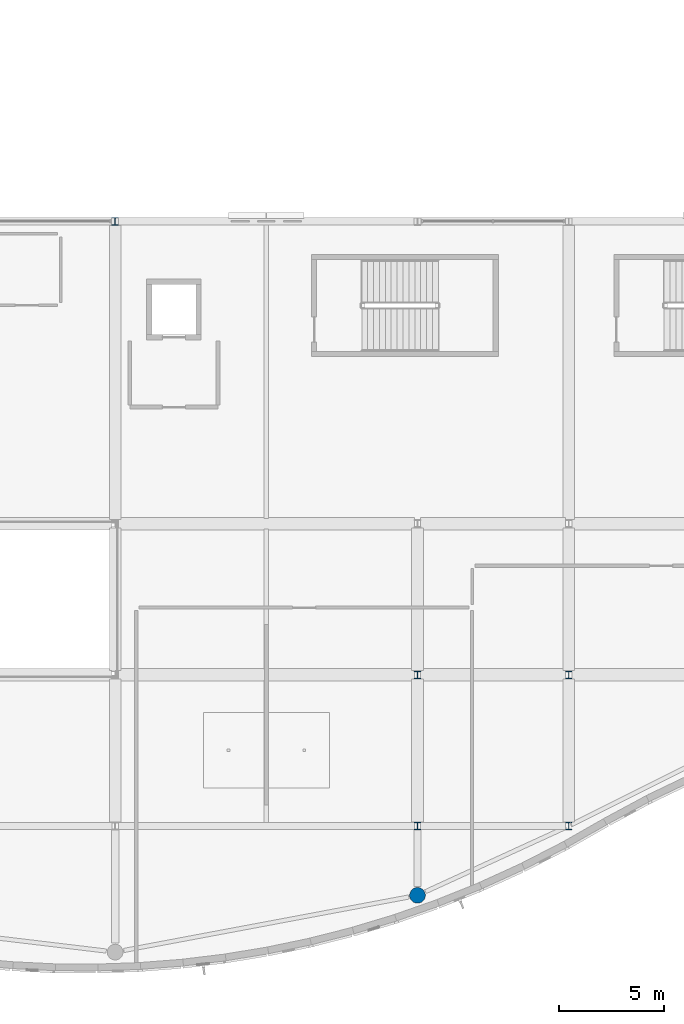
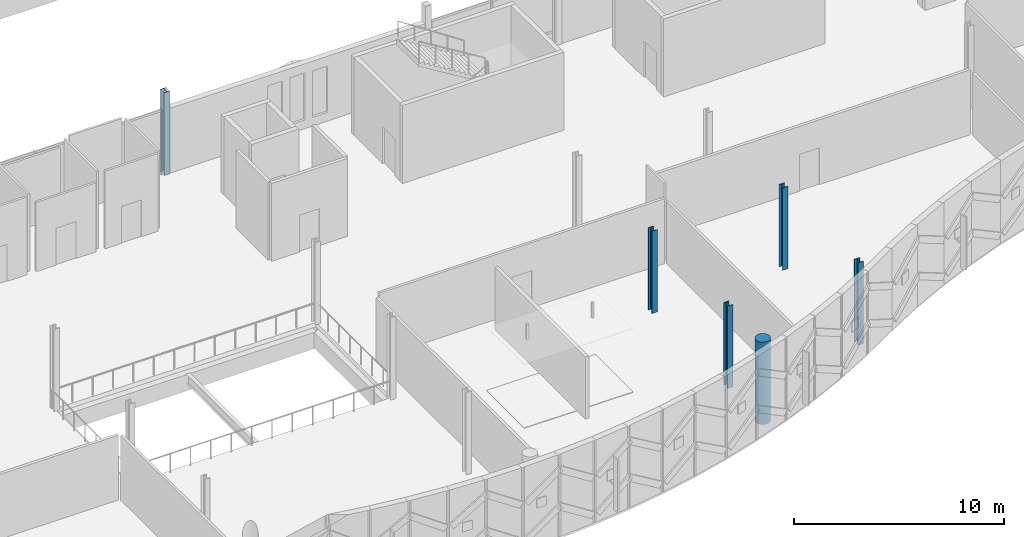
# One storey, part 4 of 193: 6 columns.
"""IFC4 building model written with IfcOpenShell, lengths in metres."""

from ifc_helpers import new_model, si_unit, direction, frame, origin, origin_2d, place, context, subcontext, project, spatial, circle, i_section, extrude, material, material_profile, profile_set, type_object, element, save


model = new_model("IFC4")

# Units and contexts
model_context = context("Model", 3, precision=1e-05, world=origin(), true_north=direction((0.0, 1.0)))
body_context = subcontext(model_context, "Body", "Model", "MODEL_VIEW")
ifc_project = project(units=[si_unit("LENGTHUNIT", "METRE"), si_unit("AREAUNIT", "SQUARE_METRE"), si_unit("VOLUMEUNIT", "CUBIC_METRE"), si_unit("PLANEANGLEUNIT", "RADIAN"), si_unit("MASSUNIT", "GRAM", prefix="KILO")], contexts=[model_context])

# Site, building, storey
site_placement = place(None, origin())
site = spatial("IfcSite", under=ifc_project, at=site_placement, CompositionType="ELEMENT")
building_placement = place(site_placement, origin())
building = spatial("IfcBuilding", under=site, at=building_placement, Name="Cendralis Lancet Convention Centre", CompositionType="ELEMENT")
storey_placement = place(building_placement, frame((0.0, 0.0, 10.199951171875)))
storey = spatial("IfcBuildingStorey", under=building, at=storey_placement, Name="L02", CompositionType="ELEMENT", Elevation=10.199951171875)

# Columns
ifc_material_1 = material(Name="Concrete G40 (C40/50)", Category="concrete")
ifc_material_profile_1 = material_profile(ifc_material_1, circle(Radius=0.375, at=origin_2d()), Name="RC D750")
ifc_profile_set_1 = profile_set([ifc_material_profile_1], Name="Concrete G40 (C40/50)")
column_type_1 = type_object("IfcColumnType", Name="STR-COL-C18", PredefinedType="COLUMN", material=ifc_profile_set_1)
column_1_placement = place(storey_placement, frame((72.0, 3.89794921875, 0.0), z_axis=(0.0, 0.0, 1.0), x_axis=(1.0, 0.0, 0.0)))
element("IfcColumn", 1, at=column_1_placement, inside=storey, type_object=column_type_1, Name="L02 Column C18 at 72.0,3.9", PredefinedType="COLUMN", context=body_context, shape_type="SweptSolid", body=[
    extrude(circle(Radius=0.375, at=origin_2d()), origin(), (0.0, 0.0, 1.0), 4.800048828125),
])
ifc_material_2 = material(Name="Steel S355", Category="steel")
ifc_material_profile_2 = material_profile(ifc_material_2, i_section(OverallWidth=0.300048828125, OverallDepth=0.360107421875, WebThickness=0.012451171875, FlangeThickness=0.0224609375, FilletRadius=0.027099609375, at=origin_2d()), Name="HEB 360")
ifc_profile_set_2 = profile_set([ifc_material_profile_2], Name="Steel S355")
column_type_2 = type_object("IfcColumnType", Name="STR-COL-C26", PredefinedType="COLUMN", material=ifc_profile_set_2)
column_2_placement = place(storey_placement, frame((57.60009765625, 36.0, 0.0), z_axis=(0.0, 0.0, 1.0), x_axis=(1.0, 0.0, 0.0)))
element("IfcColumn", 2, at=column_2_placement, inside=storey, type_object=column_type_2, Name="L02 Column C26 at 57.6,36.0", PredefinedType="COLUMN", context=body_context, shape_type="SweptSolid", body=[
    extrude(i_section(OverallWidth=0.300048828125, OverallDepth=0.360107421875, WebThickness=0.012451171875, FlangeThickness=0.0224609375, FilletRadius=0.027099609375, at=origin_2d()), origin(), (0.0, 0.0, 1.0), 4.800048828125),
])
ifc_material_profile_3 = material_profile(ifc_material_2, i_section(OverallWidth=0.300048828125, OverallDepth=0.360107421875, WebThickness=0.012451171875, FlangeThickness=0.0224609375, FilletRadius=0.027099609375, at=origin_2d()), Name="HEB 360")
ifc_profile_set_3 = profile_set([ifc_material_profile_3], Name="Steel S355")
column_type_3 = type_object("IfcColumnType", Name="STR-COL-C26-INT", PredefinedType="COLUMN", material=ifc_profile_set_3)
for number, where, z_axis, x_axis, name in (
    (3, (72.0, 7.199951171875, 0.0), (0.0, 0.0, 1.0), (1.0, 0.0, 0.0), "L02 Column C26 at 72.0,7.2"),
    (4, (72.0, 14.39990234375, 0.0), (0.0, 0.0, 1.0), (1.0, 0.0, 0.0), "L02 Column C26 at 72.0,14.4"),
    (5, (79.199951171875, 7.199951171875, 0.0), (0.0, 0.0, 1.0), (1.0, 0.0, 0.0), "L02 Column C26 at 79.2,7.2"),
    (6, (79.199951171875, 14.39990234375, 0.0), (0.0, 0.0, 1.0), (1.0, 0.0, 0.0), "L02 Column C26 at 79.2,14.4"),
):
    element("IfcColumn", number, at=place(storey_placement, frame(where, z_axis=z_axis, x_axis=x_axis)), inside=storey, type_object=column_type_3, Name=name, PredefinedType="COLUMN", context=body_context, shape_type="SweptSolid", body=[
        extrude(i_section(OverallWidth=0.300048828125, OverallDepth=0.360107421875, WebThickness=0.012451171875, FlangeThickness=0.0224609375, FilletRadius=0.027099609375, at=origin_2d()), origin(), (0.0, 0.0, 1.0), 4.800048828125),
    ])

save(model, "model.ifc")
